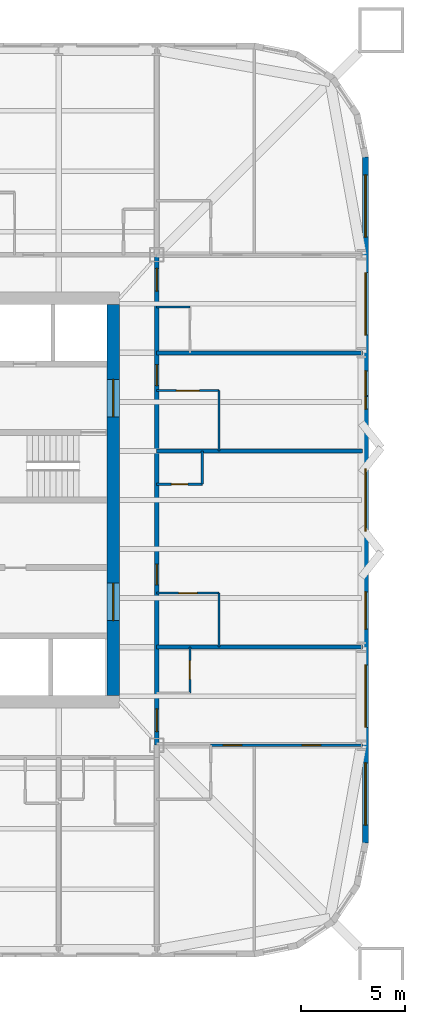
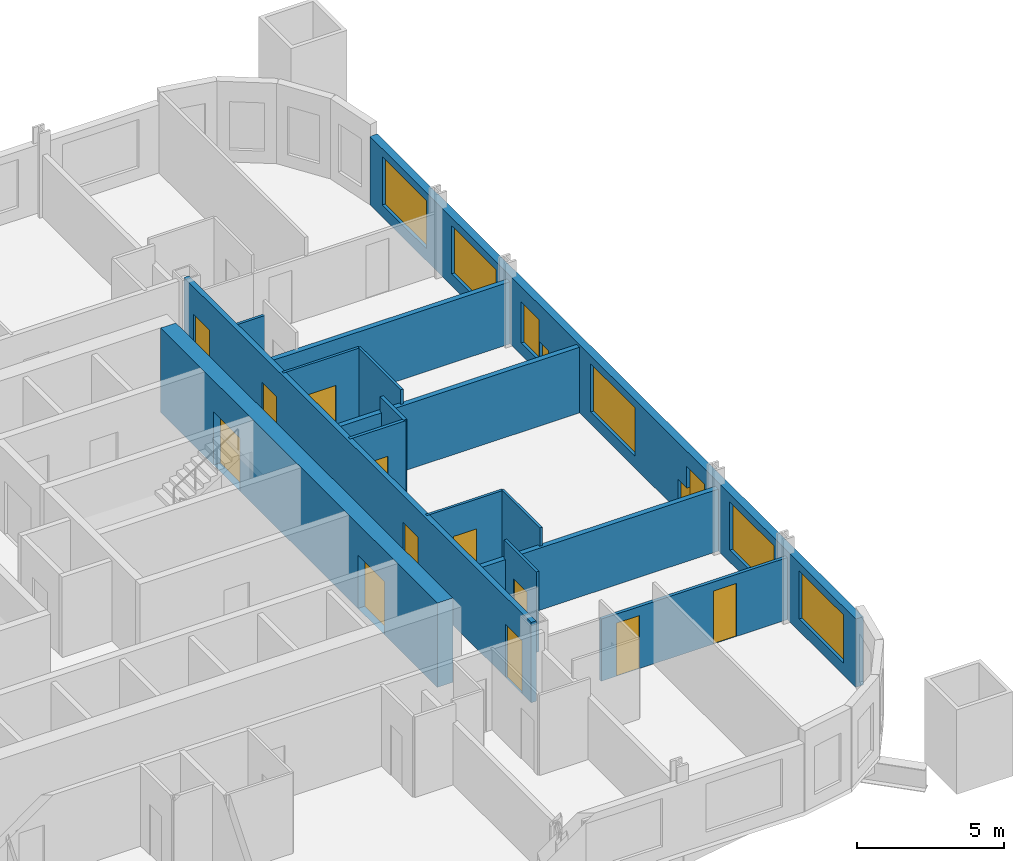
# One storey, part 6 of 10: 15 walls, 12 doors, 9 windows, 21 openings.
"""IFC4 building model written with IfcOpenShell, lengths in metres."""

from ifc_helpers import new_model, si_unit, direction, frame, frame_2d, origin, place, context, subcontext, project, spatial, rectangle, extrude, material, layer, layer_set, type_object, element, fill, save


model = new_model("IFC4")

# Units and contexts
model_context = context("Model", 3, precision=1e-05, world=origin(), true_north=direction((0.0, 1.0)))
body_context = subcontext(model_context, "Body", "Model", "MODEL_VIEW")
ifc_project = project(units=[si_unit("LENGTHUNIT", "METRE"), si_unit("AREAUNIT", "SQUARE_METRE"), si_unit("VOLUMEUNIT", "CUBIC_METRE"), si_unit("PLANEANGLEUNIT", "RADIAN"), si_unit("MASSUNIT", "GRAM", prefix="KILO")], contexts=[model_context])

# Site, building, storey
site_placement = place(None, origin())
site = spatial("IfcSite", under=ifc_project, at=site_placement, CompositionType="ELEMENT")
building_placement = place(site_placement, origin())
building = spatial("IfcBuilding", under=site, at=building_placement, Name="Turquesa Mirador Hotel Tower", CompositionType="ELEMENT")
storey_placement = place(building_placement, frame((0.0, 0.0, 60.0)))
storey = spatial("IfcBuildingStorey", under=building, at=storey_placement, Name="L15", CompositionType="ELEMENT", Elevation=60.0)

# Wall, opening, door
ifc_material_1 = material(Name="Gypsum board on steel studs", Category="steel")
ifc_layer_1 = layer(ifc_material_1, 0.10009765625)
ifc_layer_set_1 = layer_set([ifc_layer_1], Name="BATHROOM WALL 100")
wall_type_1 = type_object("IfcWallType", Name="BATHROOM WALL 100", PredefinedType="PARTITIONING", material=ifc_layer_set_1)
wall_1_placement = place(storey_placement, frame((66.800048828125, 40.52001953125, 0.0), z_axis=(0.0, 0.0, 1.0), x_axis=(1.0, 0.0, 0.0)))
wall_1 = element("IfcWall", 1, at=wall_1_placement, inside=storey, type_object=wall_type_1, Name="Partition L15 014", PredefinedType="PARTITIONING", context=body_context, shape_type="SweptSolid", body=[
    extrude(rectangle(XDim=3.0, YDim=0.10009765625, at=frame_2d((1.5, 0.0))), origin(), (0.0, 0.0, 1.0), 3.330078125),
])
opening_1_placement = place(wall_1_placement, frame((1.050048828125, 0.0, 0.0)))
opening_1 = element("IfcOpeningElement", 2, at=opening_1_placement, cuts=wall_1, Name="Opening D02", PredefinedType="OPENING", context=body_context, shape_type="SweptSolid", body=[
    extrude(rectangle(XDim=0.89990234375, YDim=2.10009765625, at=frame_2d((0.449951171875, 1.050048828125))), frame((0.0, 0.06005859375, 0.0), z_axis=(0.0, -1.0, 0.0), x_axis=(1.0, 0.0, 0.0)), (0.0, 0.0, 1.0), 0.1201171875),
])
ifc_material_2 = material(Name="Timber veneered door", Category="wood")
door_type_1 = type_object("IfcDoorType", Name="DOOR 900X2100 EN-SUITE", OperationType="SINGLE_SWING_RIGHT", PredefinedType="DOOR", material=ifc_material_2)
door_1_placement = place(opening_1_placement, origin())
door_1 = element("IfcDoor", 3, at=door_1_placement, inside=storey, type_object=door_type_1, Name="Door 1506B", OperationType="SINGLE_SWING_RIGHT", OverallHeight=2.10009765625, OverallWidth=0.89990234375, PredefinedType="DOOR", context=body_context, shape_type="SweptSolid", body=[
    extrude(rectangle(XDim=0.89990234375, YDim=2.10009765625, at=frame_2d((0.449951171875, 1.050048828125))), frame((0.0, 0.02490234375, 0.0), z_axis=(0.0, -1.0, 0.0), x_axis=(1.0, 0.0, 0.0)), (0.0, 0.0, 1.0), 0.050048828125),
])
fill(opening_1, door_1)

wall_2_placement = place(storey_placement, frame((66.800048828125, 50.260009765625, 0.0), z_axis=(0.0, 0.0, 1.0), x_axis=(1.0, 0.0, 0.0)))
wall_2 = element("IfcWall", 4, at=wall_2_placement, inside=storey, type_object=wall_type_1, Name="Partition L15 033", PredefinedType="PARTITIONING", context=body_context, shape_type="SweptSolid", body=[
    extrude(rectangle(XDim=3.0, YDim=0.10009765625, at=frame_2d((1.5, 0.0))), origin(), (0.0, 0.0, 1.0), 3.330078125),
])
opening_2_placement = place(wall_2_placement, frame((0.949951171875, 0.0, 0.0)))
opening_2 = element("IfcOpeningElement", 5, at=opening_2_placement, cuts=wall_2, Name="Opening D16", PredefinedType="OPENING", context=body_context, shape_type="SweptSolid", body=[
    extrude(rectangle(XDim=1.10009765625, YDim=2.10009765625, at=frame_2d((0.550048828125, 1.050048828125))), frame((0.0, 0.06005859375, 0.0), z_axis=(0.0, -1.0, 0.0), x_axis=(1.0, 0.0, 0.0)), (0.0, 0.0, 1.0), 0.1201171875),
])
ifc_material_3 = material(Name="Timber veneered sliding door", Category="wood")
door_type_2 = type_object("IfcDoorType", Name="DOOR 1100X2100 ACCESSIBLE EN-SUITE", OperationType="SLIDING_TO_LEFT", PredefinedType="DOOR", material=ifc_material_3)
door_2_placement = place(opening_2_placement, origin())
door_2 = element("IfcDoor", 6, at=door_2_placement, inside=storey, type_object=door_type_2, Name="Door 1507B", OperationType="SLIDING_TO_LEFT", OverallHeight=2.10009765625, OverallWidth=1.10009765625, PredefinedType="DOOR", context=body_context, shape_type="SweptSolid", body=[
    extrude(rectangle(XDim=1.10009765625, YDim=2.10009765625, at=frame_2d((0.550048828125, 1.050048828125))), frame((0.0, 0.02490234375, 0.0), z_axis=(0.0, -1.0, 0.0), x_axis=(1.0, 0.0, 0.0)), (0.0, 0.0, 1.0), 0.050048828125),
])
fill(opening_2, door_2)

# Wall
wall_3_placement = place(storey_placement, frame((66.800048828125, 54.280029296875, 0.0), z_axis=(0.0, 0.0, 1.0), x_axis=(1.0, 0.0, 0.0)))
element("IfcWall", 7, at=wall_3_placement, inside=storey, type_object=wall_type_1, Name="Partition L15 037", PredefinedType="PARTITIONING", context=body_context, shape_type="SweptSolid", body=[
    extrude(rectangle(XDim=1.599853515625, YDim=0.10009765625, at=frame_2d((0.7998046875, 0.0))), origin(), (0.0, 0.0, 1.0), 2.722900390625),
])

# Wall, opening, door
wall_4_placement = place(storey_placement, frame((68.39990234375, 35.719970703125, 0.0), z_axis=(0.0, 0.0, 1.0), x_axis=(0.0, 1.0, 0.0)))
wall_4 = element("IfcWall", 8, at=wall_4_placement, inside=storey, type_object=wall_type_1, Name="Partition L15 061", PredefinedType="PARTITIONING", context=body_context, shape_type="SweptSolid", body=[
    extrude(rectangle(XDim=2.199951171875, YDim=0.10009765625, at=frame_2d((1.10009765625, 0.0))), origin(), (0.0, 0.0, 1.0), 3.330078125),
])
opening_3_placement = place(wall_4_placement, frame((0.64990234375, 0.0, 0.0)))
opening_3 = element("IfcOpeningElement", 9, at=opening_3_placement, cuts=wall_4, Name="Opening D06", PredefinedType="OPENING", context=body_context, shape_type="SweptSolid", body=[
    extrude(rectangle(XDim=0.89990234375, YDim=2.10009765625, at=frame_2d((0.449951171875, 1.050048828125))), frame((0.0, 0.06005859375, 0.0), z_axis=(0.0, -1.0, 0.0), x_axis=(1.0, 0.0, 0.0)), (0.0, 0.0, 1.0), 0.1201171875),
])
ifc_material_4 = material(Name="Laminate door", Category="wood")
door_type_3 = type_object("IfcDoorType", Name="DOOR 900X2100 WC", OperationType="SINGLE_SWING_LEFT", PredefinedType="DOOR", material=ifc_material_4)
door_3_placement = place(opening_3_placement, origin())
door_3 = element("IfcDoor", 10, at=door_3_placement, inside=storey, type_object=door_type_3, Name="Door 1513W", OperationType="SINGLE_SWING_LEFT", OverallHeight=2.10009765625, OverallWidth=0.89990234375, PredefinedType="DOOR", context=body_context, shape_type="SweptSolid", body=[
    extrude(rectangle(XDim=0.89990234375, YDim=2.10009765625, at=frame_2d((0.449951171875, 1.050048828125))), frame((0.0, 0.02490234375, 0.0), z_axis=(0.0, -1.0, 0.0), x_axis=(1.0, 0.0, 0.0)), (0.0, 0.0, 1.0), 0.050048828125),
])
fill(opening_3, door_3)

# Walls
wall_5_placement = place(storey_placement, frame((69.800048828125, 37.919921875, 0.0), z_axis=(0.0, 0.0, 1.0), x_axis=(0.0, 1.0, 0.0)))
element("IfcWall", 11, at=wall_5_placement, inside=storey, type_object=wall_type_1, Name="Partition L15 066", PredefinedType="PARTITIONING", context=body_context, shape_type="SweptSolid", body=[
    extrude(rectangle(XDim=2.60009765625, YDim=0.10009765625, at=frame_2d((1.300048828125, 0.0))), origin(), (0.0, 0.0, 1.0), 3.330078125),
])
wall_6_placement = place(storey_placement, frame((69.800048828125, 47.360107421875, 0.0), z_axis=(0.0, 0.0, 1.0), x_axis=(0.0, 1.0, 0.0)))
element("IfcWall", 12, at=wall_6_placement, inside=storey, type_object=wall_type_1, Name="Partition L15 067", PredefinedType="PARTITIONING", context=body_context, shape_type="SweptSolid", body=[
    extrude(rectangle(XDim=2.89990234375, YDim=0.10009765625, at=frame_2d((1.449951171875, 0.0))), origin(), (0.0, 0.0, 1.0), 3.330078125),
])

# Wall, openings, doors
ifc_material_5 = material(Name="Concrete C50/60", Category="concrete")
ifc_layer_2 = layer(ifc_material_5, 0.60009765625)
ifc_layer_set_2 = layer_set([ifc_layer_2], Name="CORE WALL 600")
wall_type_2 = type_object("IfcWallType", Name="CORE WALL 600", PredefinedType="SHEAR", material=ifc_layer_set_2)
wall_7_placement = place(storey_placement, frame((64.699951171875, 35.60009765625, 0.0), z_axis=(0.0, 0.0, 1.0), x_axis=(0.0, 1.0, 0.0)))
wall_7 = element("IfcWall", 13, at=wall_7_placement, inside=storey, type_object=wall_type_2, Name="Core wall E", PredefinedType="SHEAR", context=body_context, shape_type="SweptSolid", body=[
    extrude(rectangle(XDim=18.7998046875, YDim=0.60009765625, at=frame_2d((9.39990234375, 0.0))), origin(), (0.0, 0.0, 1.0), 3.5),
])
opening_4_placement = place(wall_7_placement, frame((13.39990234375, 0.0, 0.0)))
opening_4 = element("IfcOpeningElement", 14, at=opening_4_placement, cuts=wall_7, Name="Opening D04", PredefinedType="OPENING", context=body_context, shape_type="SweptSolid", body=[
    extrude(rectangle(XDim=1.800048828125, YDim=2.199951171875, at=frame_2d((0.89990234375, 1.10009765625))), frame((0.0, 0.31005859375, 0.0), z_axis=(0.0, -1.0, 0.0), x_axis=(1.0, 0.0, 0.0)), (0.0, 0.0, 1.0), 0.6201171875),
])
opening_5_placement = place(wall_7_placement, frame((3.60009765625, 0.0, 0.0)))
opening_5 = element("IfcOpeningElement", 15, at=opening_5_placement, cuts=wall_7, Name="Opening D04", PredefinedType="OPENING", context=body_context, shape_type="SweptSolid", body=[
    extrude(rectangle(XDim=1.800048828125, YDim=2.199951171875, at=frame_2d((0.89990234375, 1.10009765625))), frame((0.0, 0.31005859375, 0.0), z_axis=(0.0, -1.0, 0.0), x_axis=(1.0, 0.0, 0.0)), (0.0, 0.0, 1.0), 0.6201171875),
])
ifc_material_6 = material(Name="Steel fire door pair", Category="steel")
door_type_4 = type_object("IfcDoorType", Name="DOOR 1800X2200 PAIR", OperationType="DOUBLE_DOOR_SINGLE_SWING", PredefinedType="DOOR", material=ifc_material_6)
door_4_placement = place(opening_4_placement, origin())
door_4 = element("IfcDoor", 16, at=door_4_placement, inside=storey, type_object=door_type_4, Name="Firefighting lobby door", OperationType="DOUBLE_DOOR_SINGLE_SWING", OverallHeight=2.199951171875, OverallWidth=1.800048828125, PredefinedType="DOOR", context=body_context, shape_type="SweptSolid", body=[
    extrude(rectangle(XDim=1.800048828125, YDim=2.199951171875, at=frame_2d((0.89990234375, 1.10009765625))), frame((0.0, 0.02490234375, 0.0), z_axis=(0.0, -1.0, 0.0), x_axis=(1.0, 0.0, 0.0)), (0.0, 0.0, 1.0), 0.050048828125),
])
fill(opening_4, door_4)
door_5_placement = place(opening_5_placement, origin())
door_5 = element("IfcDoor", 17, at=door_5_placement, inside=storey, type_object=door_type_4, Name="South lift lobby door", OperationType="DOUBLE_DOOR_SINGLE_SWING", OverallHeight=2.199951171875, OverallWidth=1.800048828125, PredefinedType="DOOR", context=body_context, shape_type="SweptSolid", body=[
    extrude(rectangle(XDim=1.800048828125, YDim=2.199951171875, at=frame_2d((0.89990234375, 1.10009765625))), frame((0.0, 0.02490234375, 0.0), z_axis=(0.0, -1.0, 0.0), x_axis=(1.0, 0.0, 0.0)), (0.0, 0.0, 1.0), 0.050048828125),
])
fill(opening_5, door_5)

ifc_material_7 = material(Name="Fire-rated gypsum board on steel studs", Category="steel")
ifc_layer_3 = layer(ifc_material_7, 0.199951171875)
ifc_layer_set_3 = layer_set([ifc_layer_3], Name="CORRIDOR WALL 200")
wall_type_3 = type_object("IfcWallType", Name="CORRIDOR WALL 200", PredefinedType="PARTITIONING", material=ifc_layer_set_3)
wall_8_placement = place(storey_placement, frame((66.800048828125, 33.219970703125, 0.0), z_axis=(0.0, 0.0, 1.0), x_axis=(0.0, 1.0, 0.0)))
wall_8 = element("IfcWall", 18, at=wall_8_placement, inside=storey, type_object=wall_type_3, Name="Partition L15 058", PredefinedType="PARTITIONING", context=body_context, shape_type="SweptSolid", body=[
    extrude(rectangle(XDim=23.580078125, YDim=0.199951171875, at=frame_2d((11.7900390625, 0.0))), origin(), (0.0, 0.0, 1.0), 3.330078125),
])
opening_6_placement = place(wall_8_placement, frame((7.699951171875, 0.0, 0.0)))
opening_6 = element("IfcOpeningElement", 19, at=opening_6_placement, cuts=wall_8, Name="Opening D01", PredefinedType="OPENING", context=body_context, shape_type="SweptSolid", body=[
    extrude(rectangle(XDim=1.0, YDim=2.199951171875, at=frame_2d((0.5, 1.10009765625))), frame((0.0, 0.10986328125, 0.0), z_axis=(0.0, -1.0, 0.0), x_axis=(1.0, 0.0, 0.0)), (0.0, 0.0, 1.0), 0.219970703125),
])
opening_7_placement = place(wall_8_placement, frame((17.2900390625, 0.0, 0.0)))
opening_7 = element("IfcOpeningElement", 20, at=opening_7_placement, cuts=wall_8, Name="Opening D01", PredefinedType="OPENING", context=body_context, shape_type="SweptSolid", body=[
    extrude(rectangle(XDim=1.0, YDim=2.199951171875, at=frame_2d((0.5, 1.10009765625))), frame((0.0, 0.10986328125, 0.0), z_axis=(0.0, -1.0, 0.0), x_axis=(1.0, 0.0, 0.0)), (0.0, 0.0, 1.0), 0.219970703125),
])
opening_8_placement = place(wall_8_placement, frame((21.830078125, 0.0, 0.0)))
opening_8 = element("IfcOpeningElement", 21, at=opening_8_placement, cuts=wall_8, Name="Opening D15", PredefinedType="OPENING", context=body_context, shape_type="SweptSolid", body=[
    extrude(rectangle(XDim=1.10009765625, YDim=2.199951171875, at=frame_2d((0.550048828125, 1.10009765625))), frame((0.0, 0.10986328125, 0.0), z_axis=(0.0, -1.0, 0.0), x_axis=(1.0, 0.0, 0.0)), (0.0, 0.0, 1.0), 0.219970703125),
])
opening_9_placement = place(wall_8_placement, frame((0.6298828125, 0.0, 0.0)))
opening_9 = element("IfcOpeningElement", 22, at=opening_9_placement, cuts=wall_8, Name="Opening D15", PredefinedType="OPENING", context=body_context, shape_type="SweptSolid", body=[
    extrude(rectangle(XDim=1.10009765625, YDim=2.199951171875, at=frame_2d((0.550048828125, 1.10009765625))), frame((0.0, 0.10986328125, 0.0), z_axis=(0.0, -1.0, 0.0), x_axis=(1.0, 0.0, 0.0)), (0.0, 0.0, 1.0), 0.219970703125),
])
ifc_material_8 = material(Name="Timber veneered fire door", Category="wood")
door_type_5 = type_object("IfcDoorType", Name="DOOR 1000X2200 GUEST ENTRY", OperationType="SINGLE_SWING_LEFT", PredefinedType="DOOR", material=ifc_material_8)
door_6_placement = place(opening_6_placement, origin())
door_6 = element("IfcDoor", 23, at=door_6_placement, inside=storey, type_object=door_type_5, Name="Door 1506", OperationType="SINGLE_SWING_LEFT", OverallHeight=2.199951171875, OverallWidth=1.0, PredefinedType="DOOR", context=body_context, shape_type="SweptSolid", body=[
    extrude(rectangle(XDim=1.0, YDim=2.199951171875, at=frame_2d((0.5, 1.10009765625))), frame((0.0, 0.02490234375, 0.0), z_axis=(0.0, -1.0, 0.0), x_axis=(1.0, 0.0, 0.0)), (0.0, 0.0, 1.0), 0.050048828125),
])
fill(opening_6, door_6)
door_7_placement = place(opening_7_placement, origin())
door_7 = element("IfcDoor", 24, at=door_7_placement, inside=storey, type_object=door_type_5, Name="Door 1507", OperationType="SINGLE_SWING_LEFT", OverallHeight=2.199951171875, OverallWidth=1.0, PredefinedType="DOOR", context=body_context, shape_type="SweptSolid", body=[
    extrude(rectangle(XDim=1.0, YDim=2.199951171875, at=frame_2d((0.5, 1.10009765625))), frame((0.0, 0.02490234375, 0.0), z_axis=(0.0, -1.0, 0.0), x_axis=(1.0, 0.0, 0.0)), (0.0, 0.0, 1.0), 0.050048828125),
])
fill(opening_7, door_7)
ifc_material_9 = material(Name="Timber veneered fire door", Category="wood")
door_type_6 = type_object("IfcDoorType", Name="DOOR 1100X2200 SUITE ENTRY", OperationType="SINGLE_SWING_LEFT", PredefinedType="DOOR", material=ifc_material_9)
door_8_placement = place(opening_8_placement, origin())
door_8 = element("IfcDoor", 25, at=door_8_placement, inside=storey, type_object=door_type_6, Name="Door 1510", OperationType="SINGLE_SWING_LEFT", OverallHeight=2.199951171875, OverallWidth=1.10009765625, PredefinedType="DOOR", context=body_context, shape_type="SweptSolid", body=[
    extrude(rectangle(XDim=1.10009765625, YDim=2.199951171875, at=frame_2d((0.550048828125, 1.10009765625))), frame((0.0, 0.02490234375, 0.0), z_axis=(0.0, -1.0, 0.0), x_axis=(1.0, 0.0, 0.0)), (0.0, 0.0, 1.0), 0.050048828125),
])
fill(opening_8, door_8)
door_9_placement = place(opening_9_placement, origin())
door_9 = element("IfcDoor", 26, at=door_9_placement, inside=storey, type_object=door_type_6, Name="Door 1513", OperationType="SINGLE_SWING_LEFT", OverallHeight=2.199951171875, OverallWidth=1.10009765625, PredefinedType="DOOR", context=body_context, shape_type="SweptSolid", body=[
    extrude(rectangle(XDim=1.10009765625, YDim=2.199951171875, at=frame_2d((0.550048828125, 1.10009765625))), frame((0.0, 0.02490234375, 0.0), z_axis=(0.0, -1.0, 0.0), x_axis=(1.0, 0.0, 0.0)), (0.0, 0.0, 1.0), 0.050048828125),
])
fill(opening_9, door_9)

# Wall, openings, windows
ifc_material_10 = material(Name="Limestone cladding on concrete block", Category="masonry")
ifc_layer_4 = layer(ifc_material_10, 0.300048828125)
ifc_layer_set_4 = layer_set([ifc_layer_4], Name="FACADE WALL 300 STONE SCREEN")
wall_type_4 = type_object("IfcWallType", Name="FACADE WALL 300 STONE SCREEN", PredefinedType="SOLIDWALL", material=ifc_layer_set_4)
wall_9_placement = place(storey_placement, frame((76.85009765625, 28.5, 0.0), z_axis=(0.0, 0.0, 1.0), x_axis=(0.0, 1.0, 0.0)))
wall_9 = element("IfcWall", 27, at=wall_9_placement, inside=storey, type_object=wall_type_4, Name="Facade wall L15 04", PredefinedType="SOLIDWALL", context=body_context, shape_type="SweptSolid", body=[
    extrude(rectangle(XDim=33.0, YDim=0.300048828125, at=frame_2d((16.5, 0.0))), origin(), (0.0, 0.0, 1.0), 2.830078125),
])
opening_10_placement = place(wall_9_placement, frame((0.85009765625, 0.0, 0.5)))
opening_10 = element("IfcOpeningElement", 28, at=opening_10_placement, cuts=wall_9, Name="Opening WN1", PredefinedType="OPENING", context=body_context, shape_type="SweptSolid", body=[
    extrude(rectangle(XDim=3.0, YDim=2.0, at=frame_2d((1.5, 1.0))), frame((0.0, 0.159912109375, 0.0), z_axis=(0.0, -1.0, 0.0), x_axis=(1.0, 0.0, 0.0)), (0.0, 0.0, 1.0), 0.320068359375),
])
opening_11_placement = place(wall_9_placement, frame((5.56005859375, 0.0, 0.5)))
opening_11 = element("IfcOpeningElement", 29, at=opening_11_placement, cuts=wall_9, Name="Opening WN1", PredefinedType="OPENING", context=body_context, shape_type="SweptSolid", body=[
    extrude(rectangle(XDim=3.0, YDim=2.0, at=frame_2d((1.5, 1.0))), frame((0.0, 0.159912109375, 0.0), z_axis=(0.0, -1.0, 0.0), x_axis=(1.0, 0.0, 0.0)), (0.0, 0.0, 1.0), 0.320068359375),
])
opening_12_placement = place(wall_9_placement, frame((10.280029296875, 0.0, 0.5)))
opening_12 = element("IfcOpeningElement", 30, at=opening_12_placement, cuts=wall_9, Name="Opening WN40", PredefinedType="OPENING", context=body_context, shape_type="SweptSolid", body=[
    extrude(rectangle(XDim=1.199951171875, YDim=1.699951171875, at=frame_2d((0.60009765625, 0.85009765625))), frame((0.0, 0.159912109375, 0.0), z_axis=(0.0, -1.0, 0.0), x_axis=(1.0, 0.0, 0.0)), (0.0, 0.0, 1.0), 0.320068359375),
])
opening_13_placement = place(wall_9_placement, frame((15.0, 0.0, 0.5)))
opening_13 = element("IfcOpeningElement", 31, at=opening_13_placement, cuts=wall_9, Name="Opening WN1", PredefinedType="OPENING", context=body_context, shape_type="SweptSolid", body=[
    extrude(rectangle(XDim=3.0, YDim=2.0, at=frame_2d((1.5, 1.0))), frame((0.0, 0.159912109375, 0.0), z_axis=(0.0, -1.0, 0.0), x_axis=(1.0, 0.0, 0.0)), (0.0, 0.0, 1.0), 0.320068359375),
])
opening_14_placement = place(wall_9_placement, frame((21.52001953125, 0.0, 0.5)))
opening_14 = element("IfcOpeningElement", 32, at=opening_14_placement, cuts=wall_9, Name="Opening WN40", PredefinedType="OPENING", context=body_context, shape_type="SweptSolid", body=[
    extrude(rectangle(XDim=1.199951171875, YDim=1.699951171875, at=frame_2d((0.60009765625, 0.85009765625))), frame((0.0, 0.159912109375, 0.0), z_axis=(0.0, -1.0, 0.0), x_axis=(1.0, 0.0, 0.0)), (0.0, 0.0, 1.0), 0.320068359375),
])
opening_15_placement = place(wall_9_placement, frame((24.43994140625, 0.0, 0.5)))
opening_15 = element("IfcOpeningElement", 33, at=opening_15_placement, cuts=wall_9, Name="Opening WN1", PredefinedType="OPENING", context=body_context, shape_type="SweptSolid", body=[
    extrude(rectangle(XDim=3.0, YDim=2.0, at=frame_2d((1.5, 1.0))), frame((0.0, 0.159912109375, 0.0), z_axis=(0.0, -1.0, 0.0), x_axis=(1.0, 0.0, 0.0)), (0.0, 0.0, 1.0), 0.320068359375),
])
opening_16_placement = place(wall_9_placement, frame((29.14990234375, 0.0, 0.5)))
opening_16 = element("IfcOpeningElement", 34, at=opening_16_placement, cuts=wall_9, Name="Opening WN1", PredefinedType="OPENING", context=body_context, shape_type="SweptSolid", body=[
    extrude(rectangle(XDim=3.0, YDim=2.0, at=frame_2d((1.5, 1.0))), frame((0.0, 0.159912109375, 0.0), z_axis=(0.0, -1.0, 0.0), x_axis=(1.0, 0.0, 0.0)), (0.0, 0.0, 1.0), 0.320068359375),
])
opening_17_placement = place(wall_9_placement, frame((11.47998046875, 0.0, 0.5)))
opening_17 = element("IfcOpeningElement", 35, at=opening_17_placement, cuts=wall_9, Name="Opening WN28", PredefinedType="OPENING", context=body_context, shape_type="SweptSolid", body=[
    extrude(rectangle(XDim=0.60009765625, YDim=0.800048828125, at=frame_2d((0.300048828125, 0.39990234375))), frame((0.0, 0.159912109375, 0.0), z_axis=(0.0, -1.0, 0.0), x_axis=(1.0, 0.0, 0.0)), (0.0, 0.0, 1.0), 0.320068359375),
])
opening_18_placement = place(wall_9_placement, frame((20.8701171875, 0.0, 0.5)))
opening_18 = element("IfcOpeningElement", 36, at=opening_18_placement, cuts=wall_9, Name="Opening WN28", PredefinedType="OPENING", context=body_context, shape_type="SweptSolid", body=[
    extrude(rectangle(XDim=0.60009765625, YDim=0.800048828125, at=frame_2d((0.300048828125, 0.39990234375))), frame((0.0, 0.159912109375, 0.0), z_axis=(0.0, -1.0, 0.0), x_axis=(1.0, 0.0, 0.0)), (0.0, 0.0, 1.0), 0.320068359375),
])
ifc_material_11 = material(Name="Ceramic-fritted laminated glass", Category="glass")
window_type_1 = type_object("IfcWindowType", Name="FRITTED WINDOW 1200X1700", PartitioningType="DOUBLE_PANEL_HORIZONTAL", PredefinedType="WINDOW", material=ifc_material_11)
window_1_placement = place(opening_12_placement, origin())
window_1 = element("IfcWindow", 37, at=window_1_placement, inside=storey, type_object=window_type_1, Name="Window L15", OverallHeight=1.699951171875, OverallWidth=1.199951171875, PartitioningType="SINGLE_PANEL", PredefinedType="WINDOW", context=body_context, shape_type="SweptSolid", body=[
    extrude(rectangle(XDim=1.199951171875, YDim=1.699951171875, at=frame_2d((0.60009765625, 0.85009765625))), frame((0.0, 0.030029296875, 0.0), z_axis=(0.0, -1.0, 0.0), x_axis=(1.0, 0.0, 0.0)), (0.0, 0.0, 1.0), 0.06005859375),
])
fill(opening_12, window_1)
window_2_placement = place(opening_14_placement, origin())
window_2 = element("IfcWindow", 38, at=window_2_placement, inside=storey, type_object=window_type_1, Name="Window L15", OverallHeight=1.699951171875, OverallWidth=1.199951171875, PartitioningType="SINGLE_PANEL", PredefinedType="WINDOW", context=body_context, shape_type="SweptSolid", body=[
    extrude(rectangle(XDim=1.199951171875, YDim=1.699951171875, at=frame_2d((0.60009765625, 0.85009765625))), frame((0.0, 0.030029296875, 0.0), z_axis=(0.0, -1.0, 0.0), x_axis=(1.0, 0.0, 0.0)), (0.0, 0.0, 1.0), 0.06005859375),
])
fill(opening_14, window_2)
ifc_material_12 = material(Name="Ceramic-fritted laminated glass", Category="glass")
window_type_2 = type_object("IfcWindowType", Name="FRITTED WINDOW 3000X2000", PartitioningType="DOUBLE_PANEL_HORIZONTAL", PredefinedType="WINDOW", material=ifc_material_12)
window_3_placement = place(opening_10_placement, origin())
window_3 = element("IfcWindow", 39, at=window_3_placement, inside=storey, type_object=window_type_2, Name="Window L15", OverallHeight=2.0, OverallWidth=3.0, PartitioningType="SINGLE_PANEL", PredefinedType="WINDOW", context=body_context, shape_type="SweptSolid", body=[
    extrude(rectangle(XDim=3.0, YDim=2.0, at=frame_2d((1.5, 1.0))), frame((0.0, 0.030029296875, 0.0), z_axis=(0.0, -1.0, 0.0), x_axis=(1.0, 0.0, 0.0)), (0.0, 0.0, 1.0), 0.06005859375),
])
fill(opening_10, window_3)
window_4_placement = place(opening_11_placement, origin())
window_4 = element("IfcWindow", 40, at=window_4_placement, inside=storey, type_object=window_type_2, Name="Window L15", OverallHeight=2.0, OverallWidth=3.0, PartitioningType="SINGLE_PANEL", PredefinedType="WINDOW", context=body_context, shape_type="SweptSolid", body=[
    extrude(rectangle(XDim=3.0, YDim=2.0, at=frame_2d((1.5, 1.0))), frame((0.0, 0.030029296875, 0.0), z_axis=(0.0, -1.0, 0.0), x_axis=(1.0, 0.0, 0.0)), (0.0, 0.0, 1.0), 0.06005859375),
])
fill(opening_11, window_4)
window_5_placement = place(opening_13_placement, origin())
window_5 = element("IfcWindow", 41, at=window_5_placement, inside=storey, type_object=window_type_2, Name="Window L15", OverallHeight=2.0, OverallWidth=3.0, PartitioningType="SINGLE_PANEL", PredefinedType="WINDOW", context=body_context, shape_type="SweptSolid", body=[
    extrude(rectangle(XDim=3.0, YDim=2.0, at=frame_2d((1.5, 1.0))), frame((0.0, 0.030029296875, 0.0), z_axis=(0.0, -1.0, 0.0), x_axis=(1.0, 0.0, 0.0)), (0.0, 0.0, 1.0), 0.06005859375),
])
fill(opening_13, window_5)
window_6_placement = place(opening_15_placement, origin())
window_6 = element("IfcWindow", 42, at=window_6_placement, inside=storey, type_object=window_type_2, Name="Window L15", OverallHeight=2.0, OverallWidth=3.0, PartitioningType="SINGLE_PANEL", PredefinedType="WINDOW", context=body_context, shape_type="SweptSolid", body=[
    extrude(rectangle(XDim=3.0, YDim=2.0, at=frame_2d((1.5, 1.0))), frame((0.0, 0.030029296875, 0.0), z_axis=(0.0, -1.0, 0.0), x_axis=(1.0, 0.0, 0.0)), (0.0, 0.0, 1.0), 0.06005859375),
])
fill(opening_15, window_6)
window_7_placement = place(opening_16_placement, origin())
window_7 = element("IfcWindow", 43, at=window_7_placement, inside=storey, type_object=window_type_2, Name="Window L15", OverallHeight=2.0, OverallWidth=3.0, PartitioningType="SINGLE_PANEL", PredefinedType="WINDOW", context=body_context, shape_type="SweptSolid", body=[
    extrude(rectangle(XDim=3.0, YDim=2.0, at=frame_2d((1.5, 1.0))), frame((0.0, 0.030029296875, 0.0), z_axis=(0.0, -1.0, 0.0), x_axis=(1.0, 0.0, 0.0)), (0.0, 0.0, 1.0), 0.06005859375),
])
fill(opening_16, window_7)
ifc_material_13 = material(Name="Ceramic-fritted laminated glass", Category="glass")
window_type_3 = type_object("IfcWindowType", Name="FRITTED WINDOW 600X800", PartitioningType="DOUBLE_PANEL_HORIZONTAL", PredefinedType="WINDOW", material=ifc_material_13)
window_8_placement = place(opening_17_placement, origin())
window_8 = element("IfcWindow", 44, at=window_8_placement, inside=storey, type_object=window_type_3, Name="Window L15", OverallHeight=0.800048828125, OverallWidth=0.60009765625, PartitioningType="SINGLE_PANEL", PredefinedType="WINDOW", context=body_context, shape_type="SweptSolid", body=[
    extrude(rectangle(XDim=0.60009765625, YDim=0.800048828125, at=frame_2d((0.300048828125, 0.39990234375))), frame((0.0, 0.030029296875, 0.0), z_axis=(0.0, -1.0, 0.0), x_axis=(1.0, 0.0, 0.0)), (0.0, 0.0, 1.0), 0.06005859375),
])
fill(opening_17, window_8)
window_9_placement = place(opening_18_placement, origin())
window_9 = element("IfcWindow", 45, at=window_9_placement, inside=storey, type_object=window_type_3, Name="Window L15", OverallHeight=0.800048828125, OverallWidth=0.60009765625, PartitioningType="SINGLE_PANEL", PredefinedType="WINDOW", context=body_context, shape_type="SweptSolid", body=[
    extrude(rectangle(XDim=0.60009765625, YDim=0.800048828125, at=frame_2d((0.300048828125, 0.39990234375))), frame((0.0, 0.030029296875, 0.0), z_axis=(0.0, -1.0, 0.0), x_axis=(1.0, 0.0, 0.0)), (0.0, 0.0, 1.0), 0.06005859375),
])
fill(opening_18, window_9)

# Walls
ifc_material_14 = material(Name="Fire-rated gypsum board on steel studs", Category="steel")
ifc_layer_5 = layer(ifc_material_14, 0.199951171875)
ifc_layer_set_5 = layer_set([ifc_layer_5], Name="PARTY WALL 200")
wall_type_5 = type_object("IfcWallType", Name="PARTY WALL 200", PredefinedType="PARTITIONING", material=ifc_layer_set_5)
wall_10_placement = place(storey_placement, frame((66.800048828125, 37.919921875, 0.0), z_axis=(0.0, 0.0, 1.0), x_axis=(1.0, 0.0, 0.0)))
element("IfcWall", 46, at=wall_10_placement, inside=storey, type_object=wall_type_5, Name="Partition L15 016", PredefinedType="PARTITIONING", context=body_context, shape_type="SweptSolid", body=[
    extrude(rectangle(XDim=9.89990234375, YDim=0.199951171875, at=frame_2d((4.949951171875, 0.0))), origin(), (0.0, 0.0, 1.0), 2.572998046875),
])
wall_11_placement = place(storey_placement, frame((66.800048828125, 47.360107421875, 0.0), z_axis=(0.0, 0.0, 1.0), x_axis=(1.0, 0.0, 0.0)))
element("IfcWall", 47, at=wall_11_placement, inside=storey, type_object=wall_type_5, Name="Partition L15 031", PredefinedType="PARTITIONING", context=body_context, shape_type="SweptSolid", body=[
    extrude(rectangle(XDim=9.89990234375, YDim=0.199951171875, at=frame_2d((4.949951171875, 0.0))), origin(), (0.0, 0.0, 1.0), 2.722900390625),
])
wall_12_placement = place(storey_placement, frame((66.800048828125, 52.080078125, 0.0), z_axis=(0.0, 0.0, 1.0), x_axis=(1.0, 0.0, 0.0)))
element("IfcWall", 48, at=wall_12_placement, inside=storey, type_object=wall_type_5, Name="Partition L15 036", PredefinedType="PARTITIONING", context=body_context, shape_type="SweptSolid", body=[
    extrude(rectangle(XDim=9.89990234375, YDim=0.199951171875, at=frame_2d((4.949951171875, 0.0))), origin(), (0.0, 0.0, 1.0), 2.572998046875),
])

# Wall, openings, doors
ifc_material_15 = material(Name="Acoustic gypsum board on steel studs", Category="steel")
ifc_layer_6 = layer(ifc_material_15, 0.125)
ifc_layer_set_6 = layer_set([ifc_layer_6], Name="SUITE PARTITION 125")
wall_type_6 = type_object("IfcWallType", Name="SUITE PARTITION 125", PredefinedType="PARTITIONING", material=ifc_layer_set_6)
wall_13_placement = place(storey_placement, frame((69.39990234375, 33.199951171875, 0.0), z_axis=(0.0, 0.0, 1.0), x_axis=(1.0, 0.0, 0.0)))
wall_13 = element("IfcWall", 49, at=wall_13_placement, inside=storey, type_object=wall_type_6, Name="Partition L15 003", PredefinedType="PARTITIONING", context=body_context, shape_type="SweptSolid", body=[
    extrude(rectangle(XDim=7.300048828125, YDim=0.125, at=frame_2d((3.64990234375, 0.0))), origin(), (0.0, 0.0, 1.0), 2.572998046875),
])
opening_19_placement = place(wall_13_placement, frame((0.60009765625, 0.0, 0.0)))
opening_19 = element("IfcOpeningElement", 50, at=opening_19_placement, cuts=wall_13, Name="Opening D17", PredefinedType="OPENING", context=body_context, shape_type="SweptSolid", body=[
    extrude(rectangle(XDim=0.89990234375, YDim=2.199951171875, at=frame_2d((0.449951171875, 1.10009765625))), frame((0.0, 0.072509765625, 0.0), z_axis=(0.0, -1.0, 0.0), x_axis=(1.0, 0.0, 0.0)), (0.0, 0.0, 1.0), 0.14501953125),
])
opening_20_placement = place(wall_13_placement, frame((4.39990234375, 0.0, 0.0)))
opening_20 = element("IfcOpeningElement", 51, at=opening_20_placement, cuts=wall_13, Name="Opening D17", PredefinedType="OPENING", context=body_context, shape_type="SweptSolid", body=[
    extrude(rectangle(XDim=0.89990234375, YDim=2.199951171875, at=frame_2d((0.449951171875, 1.10009765625))), frame((0.0, 0.072509765625, 0.0), z_axis=(0.0, -1.0, 0.0), x_axis=(1.0, 0.0, 0.0)), (0.0, 0.0, 1.0), 0.14501953125),
])
ifc_material_16 = material(Name="Timber veneered door", Category="wood")
door_type_7 = type_object("IfcDoorType", Name="DOOR 900X2200 SUITE INTERNAL", OperationType="SINGLE_SWING_LEFT", PredefinedType="DOOR", material=ifc_material_16)
door_10_placement = place(opening_19_placement, origin())
door_10 = element("IfcDoor", 52, at=door_10_placement, inside=storey, type_object=door_type_7, Name="Door 1513R", OperationType="SINGLE_SWING_LEFT", OverallHeight=2.199951171875, OverallWidth=0.89990234375, PredefinedType="DOOR", context=body_context, shape_type="SweptSolid", body=[
    extrude(rectangle(XDim=0.89990234375, YDim=2.199951171875, at=frame_2d((0.449951171875, 1.10009765625))), frame((0.0, 0.02490234375, 0.0), z_axis=(0.0, -1.0, 0.0), x_axis=(1.0, 0.0, 0.0)), (0.0, 0.0, 1.0), 0.050048828125),
])
fill(opening_19, door_10)
door_11_placement = place(opening_20_placement, origin())
door_11 = element("IfcDoor", 53, at=door_11_placement, inside=storey, type_object=door_type_7, Name="Door 1513S", OperationType="SINGLE_SWING_LEFT", OverallHeight=2.199951171875, OverallWidth=0.89990234375, PredefinedType="DOOR", context=body_context, shape_type="SweptSolid", body=[
    extrude(rectangle(XDim=0.89990234375, YDim=2.199951171875, at=frame_2d((0.449951171875, 1.10009765625))), frame((0.0, 0.02490234375, 0.0), z_axis=(0.0, -1.0, 0.0), x_axis=(1.0, 0.0, 0.0)), (0.0, 0.0, 1.0), 0.050048828125),
])
fill(opening_20, door_11)

# Wall, opening, door
wall_14_placement = place(storey_placement, frame((66.800048828125, 45.760009765625, 0.0), z_axis=(0.0, 0.0, 1.0), x_axis=(1.0, 0.0, 0.0)))
wall_14 = element("IfcWall", 54, at=wall_14_placement, inside=storey, type_object=wall_type_6, Name="Partition L15 020", PredefinedType="PARTITIONING", context=body_context, shape_type="SweptSolid", body=[
    extrude(rectangle(XDim=2.199951171875, YDim=0.125, at=frame_2d((1.10009765625, 0.0))), origin(), (0.0, 0.0, 1.0), 3.330078125),
])
opening_21_placement = place(wall_14_placement, frame((0.699951171875, 0.0, 0.0)))
opening_21 = element("IfcOpeningElement", 55, at=opening_21_placement, cuts=wall_14, Name="Opening D20", PredefinedType="OPENING", context=body_context, shape_type="SweptSolid", body=[
    extrude(rectangle(XDim=0.800048828125, YDim=2.10009765625, at=frame_2d((0.39990234375, 1.050048828125))), frame((0.0, 0.072509765625, 0.0), z_axis=(0.0, -1.0, 0.0), x_axis=(1.0, 0.0, 0.0)), (0.0, 0.0, 1.0), 0.14501953125),
])
ifc_material_17 = material(Name="Timber veneered sliding door", Category="wood")
door_type_8 = type_object("IfcDoorType", Name="DOOR 800X2100 WARDROBE", OperationType="SLIDING_TO_LEFT", PredefinedType="DOOR", material=ifc_material_17)
door_12_placement = place(opening_21_placement, origin())
door_12 = element("IfcDoor", 56, at=door_12_placement, inside=storey, type_object=door_type_8, Name="Door 1506W", OperationType="SLIDING_TO_LEFT", OverallHeight=2.10009765625, OverallWidth=0.800048828125, PredefinedType="DOOR", context=body_context, shape_type="SweptSolid", body=[
    extrude(rectangle(XDim=0.800048828125, YDim=2.10009765625, at=frame_2d((0.39990234375, 1.050048828125))), frame((0.0, 0.02490234375, 0.0), z_axis=(0.0, -1.0, 0.0), x_axis=(1.0, 0.0, 0.0)), (0.0, 0.0, 1.0), 0.050048828125),
])
fill(opening_21, door_12)

# Wall
wall_15_placement = place(storey_placement, frame((69.0, 45.760009765625, 0.0), z_axis=(0.0, 0.0, 1.0), x_axis=(0.0, 1.0, 0.0)))
element("IfcWall", 57, at=wall_15_placement, inside=storey, type_object=wall_type_6, Name="Partition L15 063", PredefinedType="PARTITIONING", context=body_context, shape_type="SweptSolid", body=[
    extrude(rectangle(XDim=1.60009765625, YDim=0.125, at=frame_2d((0.800048828125, 0.0))), origin(), (0.0, 0.0, 1.0), 3.330078125),
])

save(model, "model.ifc")
